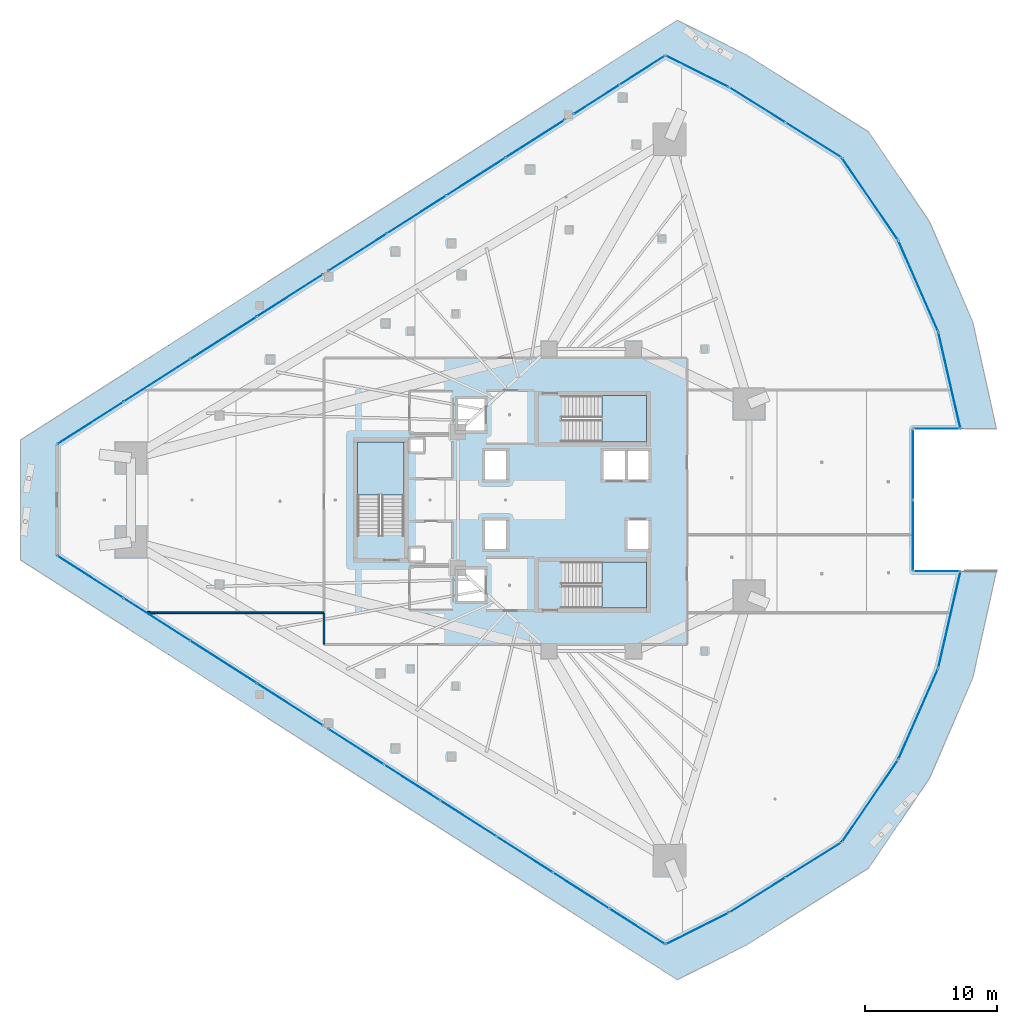
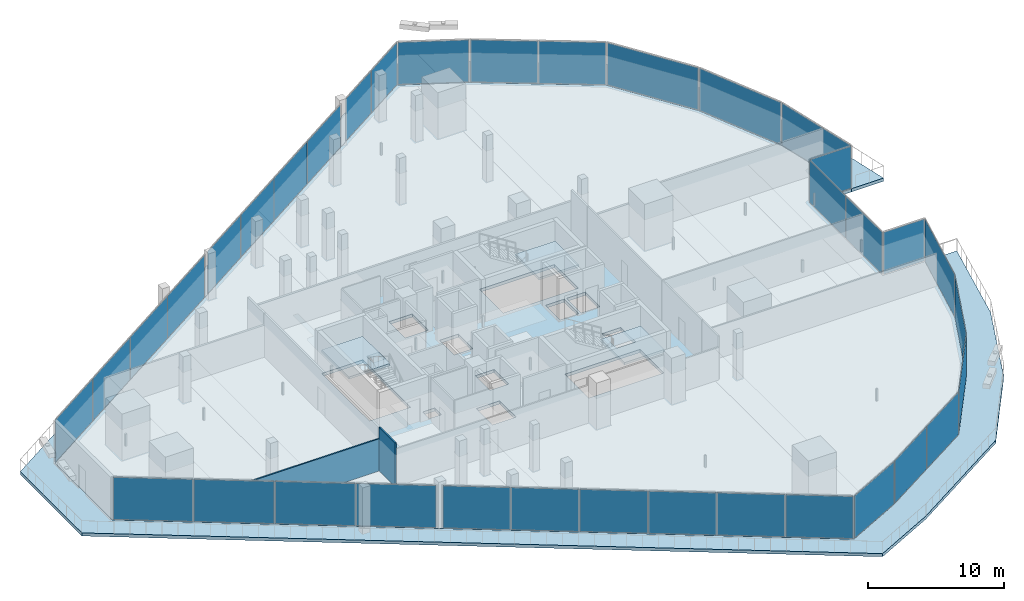
# One storey, part 28 of 42: 36 plates, 5 slabs, 2 walls, 21 elements without a shape of their own.
"""IFC4 building model written with IfcOpenShell, lengths in metres."""

from ifc_helpers import new_model, si_unit, direction, frame, frame_2d, origin, origin_2d, place, context, subcontext, project, spatial, polyline, rectangle, outline, extrude, material, layer, layer_set, type_object, element, aggregate, save


model = new_model("IFC4")

# Units and contexts
model_context = context("Model", 3, precision=1e-05, world=origin(), true_north=direction((0.0, 1.0)))
body_context = subcontext(model_context, "Body", "Model", "MODEL_VIEW")
ifc_project = project(units=[si_unit("LENGTHUNIT", "METRE"), si_unit("AREAUNIT", "SQUARE_METRE"), si_unit("VOLUMEUNIT", "CUBIC_METRE"), si_unit("PLANEANGLEUNIT", "RADIAN"), si_unit("MASSUNIT", "GRAM", prefix="KILO")], contexts=[model_context])

# Site, building, storey
site_placement = place(None, origin())
site = spatial("IfcSite", under=ifc_project, at=site_placement, CompositionType="ELEMENT")
building_placement = place(site_placement, origin())
building = spatial("IfcBuilding", under=site, at=building_placement, Name="Qorvath Tower", CompositionType="ELEMENT")
storey_placement = place(building_placement, frame((0.0, 0.0, 32.39990234375)))
storey = spatial("IfcBuildingStorey", under=building, at=storey_placement, Name="L06", CompositionType="ELEMENT", Elevation=32.39990234375)

# Curtain wall, plates
ifc_material_1 = material(Name="Anodised aluminium and triple low-E glass", Category="aluminium")
ifc_layer_1 = layer(ifc_material_1, 0.179931640625)
ifc_layer_set_1 = layer_set([ifc_layer_1], Name="CW-SYS-2")
curtain_wall_type = type_object("IfcCurtainWallType", Name="CW-SYS-2", PredefinedType="NOTDEFINED", material=ifc_layer_set_1)
curtain_wall_1_placement = place(storey_placement, origin())
curtain_wall_1 = element("IfcCurtainWall", 1, at=curtain_wall_1_placement, inside=storey, type_object=curtain_wall_type, Name="Curtain Wall CW-2 CW-T-L06-2.1", PredefinedType="NOTDEFINED")
ifc_material_2 = material(Name="Low-E triple insulated glass", Category="glass")
ifc_layer_2 = layer(ifc_material_2, 0.031982421875)
ifc_layer_set_2 = layer_set([ifc_layer_2], Name="CWP-GLZ-32")
plate_type = type_object("IfcPlateType", Name="CWP-GLZ-32", PredefinedType="CURTAIN_PANEL", material=ifc_layer_set_2)
plate_1_placement = place(storey_placement, frame((-58.363525390625, -5.8349609375, 0.06494140625), z_axis=(0.0, 0.0, 1.0), x_axis=(0.84260714152, -0.538528741164, 0.0)))
plate_1 = element("IfcPlate", 2, at=plate_1_placement, type_object=plate_type, Name="CW-2 panel 1.1", PredefinedType="CURTAIN_PANEL", context=body_context, shape_type="SweptSolid", body=[
    extrude(rectangle(XDim=5.895751953125, YDim=0.031982421875, at=origin_2d()), origin(), (0.0, 0.0, 1.0), 3.790283203125),
])
plate_2_placement = place(storey_placement, frame((-53.327392578125, -9.0537109375, 0.06494140625), z_axis=(0.0, 0.0, 1.0), x_axis=(0.84260714152, -0.538528741164, 0.0)))
plate_2 = element("IfcPlate", 3, at=plate_2_placement, type_object=plate_type, Name="CW-2 panel 2.1", PredefinedType="CURTAIN_PANEL", context=body_context, shape_type="SweptSolid", body=[
    extrude(rectangle(XDim=5.92822265625, YDim=0.031982421875, at=origin_2d()), origin(), (0.0, 0.0, 1.0), 3.790283203125),
])
plate_3_placement = place(storey_placement, frame((-48.27734375, -12.28125, 0.06494140625), z_axis=(0.0, 0.0, 1.0), x_axis=(0.84260714152, -0.538528741164, 0.0)))
plate_3 = element("IfcPlate", 4, at=plate_3_placement, type_object=plate_type, Name="CW-2 panel 3.1", PredefinedType="CURTAIN_PANEL", context=body_context, shape_type="SweptSolid", body=[
    extrude(rectangle(XDim=5.92822265625, YDim=0.031982421875, at=origin_2d()), origin(), (0.0, 0.0, 1.0), 3.790283203125),
])
plate_4_placement = place(storey_placement, frame((-43.240966796875, -15.5, 0.06494140625), z_axis=(0.0, 0.0, 1.0), x_axis=(0.84260714152, -0.538528741164, 0.0)))
plate_4 = element("IfcPlate", 5, at=plate_4_placement, type_object=plate_type, Name="CW-2 panel 4.1", PredefinedType="CURTAIN_PANEL", context=body_context, shape_type="SweptSolid", body=[
    extrude(rectangle(XDim=5.895751953125, YDim=0.031982421875, at=origin_2d()), origin(), (0.0, 0.0, 1.0), 3.790283203125),
])
aggregate(curtain_wall_1, [plate_1, plate_2, plate_3, plate_4])

curtain_wall_2_placement = place(storey_placement, origin())
curtain_wall_2 = element("IfcCurtainWall", 6, at=curtain_wall_2_placement, inside=storey, type_object=curtain_wall_type, Name="Curtain Wall CW-2 CW-T-L06-2.2", PredefinedType="NOTDEFINED")
plate_5_placement = place(storey_placement, frame((-38.236328125, -18.698974609375, 0.06494140625), z_axis=(0.0, 0.0, 1.0), x_axis=(0.842604679483, -0.538532593363, 0.0)))
plate_5 = element("IfcPlate", 7, at=plate_5_placement, type_object=plate_type, Name="CW-2 panel 1.1", PredefinedType="CURTAIN_PANEL", context=body_context, shape_type="SweptSolid", body=[
    extrude(rectangle(XDim=4.9697265625, YDim=0.031982421875, at=origin_2d()), origin(), (0.0, 0.0, 1.0), 3.790283203125),
])
plate_6_placement = place(storey_placement, frame((-33.98046875, -21.4189453125, 0.06494140625), z_axis=(0.0, 0.0, 1.0), x_axis=(0.842604679483, -0.538532593363, 0.0)))
plate_6 = element("IfcPlate", 8, at=plate_6_placement, type_object=plate_type, Name="CW-2 panel 2.1", PredefinedType="CURTAIN_PANEL", context=body_context, shape_type="SweptSolid", body=[
    extrude(rectangle(XDim=5.002197265625, YDim=0.031982421875, at=origin_2d()), origin(), (0.0, 0.0, 1.0), 3.790283203125),
])
plate_7_placement = place(storey_placement, frame((-29.710693359375, -24.147705078125, 0.06494140625), z_axis=(0.0, 0.0, 1.0), x_axis=(0.842604679483, -0.538532593363, 0.0)))
plate_7 = element("IfcPlate", 9, at=plate_7_placement, type_object=plate_type, Name="CW-2 panel 3.1", PredefinedType="CURTAIN_PANEL", context=body_context, shape_type="SweptSolid", body=[
    extrude(rectangle(XDim=5.002197265625, YDim=0.031982421875, at=origin_2d()), origin(), (0.0, 0.0, 1.0), 3.790283203125),
])
plate_8_placement = place(storey_placement, frame((-25.441162109375, -26.876708984375, 0.06494140625), z_axis=(0.0, 0.0, 1.0), x_axis=(0.842604679483, -0.538532593363, 0.0)))
plate_8 = element("IfcPlate", 10, at=plate_8_placement, type_object=plate_type, Name="CW-2 panel 4.1", PredefinedType="CURTAIN_PANEL", context=body_context, shape_type="SweptSolid", body=[
    extrude(rectangle(XDim=5.002197265625, YDim=0.031982421875, at=origin_2d()), origin(), (0.0, 0.0, 1.0), 3.790283203125),
])
plate_9_placement = place(storey_placement, frame((-21.171630859375, -29.60546875, 0.06494140625), z_axis=(0.0, 0.0, 1.0), x_axis=(0.842604679483, -0.538532593363, 0.0)))
plate_9 = element("IfcPlate", 11, at=plate_9_placement, type_object=plate_type, Name="CW-2 panel 5.1", PredefinedType="CURTAIN_PANEL", context=body_context, shape_type="SweptSolid", body=[
    extrude(rectangle(XDim=5.002197265625, YDim=0.031982421875, at=origin_2d()), origin(), (0.0, 0.0, 1.0), 3.790283203125),
])
plate_10_placement = place(storey_placement, frame((-16.91552734375, -32.325439453125, 0.06494140625), z_axis=(0.0, 0.0, 1.0), x_axis=(0.842604679483, -0.538532593363, 0.0)))
plate_10 = element("IfcPlate", 12, at=plate_10_placement, type_object=plate_type, Name="CW-2 panel 6.1", PredefinedType="CURTAIN_PANEL", context=body_context, shape_type="SweptSolid", body=[
    extrude(rectangle(XDim=4.9697265625, YDim=0.031982421875, at=origin_2d()), origin(), (0.0, 0.0, 1.0), 3.790283203125),
])
aggregate(curtain_wall_2, [plate_5, plate_6, plate_7, plate_8, plate_9, plate_10])

# Curtain wall, plate
curtain_wall_3_placement = place(storey_placement, origin())
curtain_wall_3 = element("IfcCurtainWall", 13, at=curtain_wall_3_placement, inside=storey, type_object=curtain_wall_type, Name="Curtain Wall CW-2 CW-T-L06-3.1", PredefinedType="NOTDEFINED")
plate_11_placement = place(storey_placement, frame((-12.360107421875, -32.4951171875, 0.06494140625), z_axis=(0.0, 0.0, 1.0), x_axis=(0.894434622514, 0.447198732162, 0.0)))
plate_11 = element("IfcPlate", 14, at=plate_11_placement, type_object=plate_type, Name="CW-2 panel 1.1", PredefinedType="CURTAIN_PANEL", context=body_context, shape_type="SweptSolid", body=[
    extrude(rectangle(XDim=5.25244140625, YDim=0.031982421875, at=origin_2d()), origin(), (0.0, 0.0, 1.0), 3.790283203125),
])
aggregate(curtain_wall_3, [plate_11])

# Curtain wall, plates
curtain_wall_4_placement = place(storey_placement, origin())
curtain_wall_4 = element("IfcCurtainWall", 15, at=curtain_wall_4_placement, inside=storey, type_object=curtain_wall_type, Name="Curtain Wall CW-2 CW-T-L06-4.1", PredefinedType="NOTDEFINED")
plate_12_placement = place(storey_placement, frame((-7.798583984375, -29.946044921875, 0.06494140625), z_axis=(0.0, 0.0, 1.0), x_axis=(0.848141855919, 0.529769187701, 0.0)))
plate_12 = element("IfcPlate", 16, at=plate_12_placement, type_object=plate_type, Name="CW-2 panel 1.1", PredefinedType="CURTAIN_PANEL", context=body_context, shape_type="SweptSolid", body=[
    extrude(rectangle(XDim=4.949951171875, YDim=0.031982421875, at=origin_2d()), origin(), (0.0, 0.0, 1.0), 3.790283203125),
])
plate_13_placement = place(storey_placement, frame((-3.54541015625, -27.289306640625, 0.06494140625), z_axis=(0.0, 0.0, 1.0), x_axis=(0.848141855919, 0.529769187701, 0.0)))
plate_13 = element("IfcPlate", 17, at=plate_13_placement, type_object=plate_type, Name="CW-2 panel 2.1", PredefinedType="CURTAIN_PANEL", context=body_context, shape_type="SweptSolid", body=[
    extrude(rectangle(XDim=4.949951171875, YDim=0.031982421875, at=origin_2d()), origin(), (0.0, 0.0, 1.0), 3.790283203125),
])
aggregate(curtain_wall_4, [plate_12, plate_13])

# Curtain wall, plate
curtain_wall_5_placement = place(storey_placement, origin())
curtain_wall_5 = element("IfcCurtainWall", 18, at=curtain_wall_5_placement, inside=storey, type_object=curtain_wall_type, Name="Curtain Wall CW-2 CW-T-L06-5.1", PredefinedType="NOTDEFINED")
plate_14_placement = place(storey_placement, frame((0.7412109375, -22.82080078125, 0.06494140625), z_axis=(0.0, 0.0, 1.0), x_axis=(0.563869271406, 0.825864059494, 0.0)))
plate_14 = element("IfcPlate", 19, at=plate_14_placement, type_object=plate_type, Name="CW-2 panel 1.1", PredefinedType="CURTAIN_PANEL", context=body_context, shape_type="SweptSolid", body=[
    extrude(rectangle(XDim=7.432861328125, YDim=0.031982421875, at=origin_2d()), origin(), (0.0, 0.0, 1.0), 3.790283203125),
])
aggregate(curtain_wall_5, [plate_14])

curtain_wall_6_placement = place(storey_placement, origin())
curtain_wall_6 = element("IfcCurtainWall", 20, at=curtain_wall_6_placement, inside=storey, type_object=curtain_wall_type, Name="Curtain Wall CW-2 CW-T-L06-6.1", PredefinedType="NOTDEFINED")
plate_15_placement = place(storey_placement, frame((4.39013671875, -16.23388671875, 0.06494140625), z_axis=(0.0, 0.0, 1.0), x_axis=(0.401118455419, 0.91602619216, 0.0)))
plate_15 = element("IfcPlate", 21, at=plate_15_placement, type_object=plate_type, Name="CW-2 panel 1.1", PredefinedType="CURTAIN_PANEL", context=body_context, shape_type="SweptSolid", body=[
    extrude(rectangle(XDim=7.43310546875, YDim=0.031982421875, at=origin_2d()), origin(), (0.0, 0.0, 1.0), 3.790283203125),
])
aggregate(curtain_wall_6, [plate_15])

curtain_wall_7_placement = place(storey_placement, origin())
curtain_wall_7 = element("IfcCurtainWall", 22, at=curtain_wall_7_placement, inside=storey, type_object=curtain_wall_type, Name="Curtain Wall CW-2 CW-T-L06-7.1", PredefinedType="NOTDEFINED")
plate_16_placement = place(storey_placement, frame((6.755859375, -9.0849609375, 0.06494140625), z_axis=(0.0, 0.0, 1.0), x_axis=(0.22447129445, 0.974480701691, 0.0)))
plate_16 = element("IfcPlate", 23, at=plate_16_placement, type_object=plate_type, Name="CW-2 panel 1.1", PredefinedType="CURTAIN_PANEL", context=body_context, shape_type="SweptSolid", body=[
    extrude(rectangle(XDim=7.43310546875, YDim=0.031982421875, at=origin_2d()), origin(), (0.0, 0.0, 1.0), 3.790283203125),
])
aggregate(curtain_wall_7, [plate_16])

curtain_wall_8_placement = place(storey_placement, origin())
curtain_wall_8 = element("IfcCurtainWall", 24, at=curtain_wall_8_placement, inside=storey, type_object=curtain_wall_type, Name="Curtain Wall CW-2 CW-T-L06-8.1", PredefinedType="NOTDEFINED")
plate_17_placement = place(storey_placement, frame((5.8046875, -5.39990234375, 0.06494140625), z_axis=(0.0, 0.0, 1.0), x_axis=(-1.0, 0.0, 0.0)))
plate_17 = element("IfcPlate", 25, at=plate_17_placement, type_object=plate_type, Name="CW-2 panel 1.1", PredefinedType="CURTAIN_PANEL", context=body_context, shape_type="SweptSolid", body=[
    extrude(rectangle(XDim=3.4697265625, YDim=0.031982421875, at=origin_2d()), origin(), (0.0, 0.0, 1.0), 3.790283203125),
])
aggregate(curtain_wall_8, [plate_17])

# Curtain wall, plates
curtain_wall_9_placement = place(storey_placement, origin())
curtain_wall_9 = element("IfcCurtainWall", 26, at=curtain_wall_9_placement, inside=storey, type_object=curtain_wall_type, Name="Curtain Wall CW-2 CW-T-L06-9.1", PredefinedType="NOTDEFINED")
plate_18_placement = place(storey_placement, frame((4.0048828125, -2.68359375, 0.06494140625), z_axis=(0.0, 0.0, 1.0), x_axis=(0.0, 1.0, 0.0)))
plate_18 = element("IfcPlate", 27, at=plate_18_placement, type_object=plate_type, Name="CW-2 panel 1.1", PredefinedType="CURTAIN_PANEL", context=body_context, shape_type="SweptSolid", body=[
    extrude(rectangle(XDim=5.302490234375, YDim=0.031982421875, at=origin_2d()), origin(), (0.0, 0.0, 1.0), 3.790283203125),
])
plate_19_placement = place(storey_placement, frame((4.0048828125, 2.68359375, 0.06494140625), z_axis=(0.0, 0.0, 1.0), x_axis=(0.0, 1.0, 0.0)))
plate_19 = element("IfcPlate", 28, at=plate_19_placement, type_object=plate_type, Name="CW-2 panel 2.1", PredefinedType="CURTAIN_PANEL", context=body_context, shape_type="SweptSolid", body=[
    extrude(rectangle(XDim=5.302490234375, YDim=0.031982421875, at=origin_2d()), origin(), (0.0, 0.0, 1.0), 3.790283203125),
])
aggregate(curtain_wall_9, [plate_18, plate_19])

# Curtain wall, plate
curtain_wall_10_placement = place(storey_placement, origin())
curtain_wall_10 = element("IfcCurtainWall", 29, at=curtain_wall_10_placement, inside=storey, type_object=curtain_wall_type, Name="Curtain Wall CW-2 CW-T-L06-10.1", PredefinedType="NOTDEFINED")
plate_20_placement = place(storey_placement, frame((5.8046875, 5.39990234375, 0.06494140625), z_axis=(0.0, 0.0, 1.0), x_axis=(1.0, 0.0, 0.0)))
plate_20 = element("IfcPlate", 30, at=plate_20_placement, type_object=plate_type, Name="CW-2 panel 1.1", PredefinedType="CURTAIN_PANEL", context=body_context, shape_type="SweptSolid", body=[
    extrude(rectangle(XDim=3.4697265625, YDim=0.031982421875, at=origin_2d()), origin(), (0.0, 0.0, 1.0), 3.790283203125),
])
aggregate(curtain_wall_10, [plate_20])

curtain_wall_11_placement = place(storey_placement, origin())
curtain_wall_11 = element("IfcCurtainWall", 31, at=curtain_wall_11_placement, inside=storey, type_object=curtain_wall_type, Name="Curtain Wall CW-2 CW-T-L06-11.1", PredefinedType="NOTDEFINED")
plate_21_placement = place(storey_placement, frame((6.755859375, 9.0849609375, 0.06494140625), z_axis=(0.0, 0.0, 1.0), x_axis=(-0.22447129445, 0.974480701691, 0.0)))
plate_21 = element("IfcPlate", 32, at=plate_21_placement, type_object=plate_type, Name="CW-2 panel 1.1", PredefinedType="CURTAIN_PANEL", context=body_context, shape_type="SweptSolid", body=[
    extrude(rectangle(XDim=7.43310546875, YDim=0.031982421875, at=origin_2d()), origin(), (0.0, 0.0, 1.0), 3.790283203125),
])
aggregate(curtain_wall_11, [plate_21])

curtain_wall_12_placement = place(storey_placement, origin())
curtain_wall_12 = element("IfcCurtainWall", 33, at=curtain_wall_12_placement, inside=storey, type_object=curtain_wall_type, Name="Curtain Wall CW-2 CW-T-L06-12.1", PredefinedType="NOTDEFINED")
plate_22_placement = place(storey_placement, frame((4.39013671875, 16.23388671875, 0.06494140625), z_axis=(0.0, 0.0, 1.0), x_axis=(-0.401118455419, 0.91602619216, 0.0)))
plate_22 = element("IfcPlate", 34, at=plate_22_placement, type_object=plate_type, Name="CW-2 panel 1.1", PredefinedType="CURTAIN_PANEL", context=body_context, shape_type="SweptSolid", body=[
    extrude(rectangle(XDim=7.43310546875, YDim=0.031982421875, at=origin_2d()), origin(), (0.0, 0.0, 1.0), 3.790283203125),
])
aggregate(curtain_wall_12, [plate_22])

curtain_wall_13_placement = place(storey_placement, origin())
curtain_wall_13 = element("IfcCurtainWall", 35, at=curtain_wall_13_placement, inside=storey, type_object=curtain_wall_type, Name="Curtain Wall CW-2 CW-T-L06-13.1", PredefinedType="NOTDEFINED")
plate_23_placement = place(storey_placement, frame((0.7412109375, 22.82080078125, 0.06494140625), z_axis=(0.0, 0.0, 1.0), x_axis=(-0.563869271406, 0.825864059494, 0.0)))
plate_23 = element("IfcPlate", 36, at=plate_23_placement, type_object=plate_type, Name="CW-2 panel 1.1", PredefinedType="CURTAIN_PANEL", context=body_context, shape_type="SweptSolid", body=[
    extrude(rectangle(XDim=7.432861328125, YDim=0.031982421875, at=origin_2d()), origin(), (0.0, 0.0, 1.0), 3.790283203125),
])
aggregate(curtain_wall_13, [plate_23])

# Curtain wall, plates
curtain_wall_14_placement = place(storey_placement, origin())
curtain_wall_14 = element("IfcCurtainWall", 37, at=curtain_wall_14_placement, inside=storey, type_object=curtain_wall_type, Name="Curtain Wall CW-2 CW-T-L06-14.1", PredefinedType="NOTDEFINED")
plate_24_placement = place(storey_placement, frame((-3.54541015625, 27.289306640625, 0.06494140625), z_axis=(0.0, 0.0, 1.0), x_axis=(-0.848141855919, 0.529769187701, 0.0)))
plate_24 = element("IfcPlate", 38, at=plate_24_placement, type_object=plate_type, Name="CW-2 panel 1.1", PredefinedType="CURTAIN_PANEL", context=body_context, shape_type="SweptSolid", body=[
    extrude(rectangle(XDim=4.949951171875, YDim=0.031982421875, at=origin_2d()), origin(), (0.0, 0.0, 1.0), 3.790283203125),
])
plate_25_placement = place(storey_placement, frame((-7.798583984375, 29.946044921875, 0.06494140625), z_axis=(0.0, 0.0, 1.0), x_axis=(-0.848141855919, 0.529769187701, 0.0)))
plate_25 = element("IfcPlate", 39, at=plate_25_placement, type_object=plate_type, Name="CW-2 panel 2.1", PredefinedType="CURTAIN_PANEL", context=body_context, shape_type="SweptSolid", body=[
    extrude(rectangle(XDim=4.949951171875, YDim=0.031982421875, at=origin_2d()), origin(), (0.0, 0.0, 1.0), 3.790283203125),
])
aggregate(curtain_wall_14, [plate_24, plate_25])

# Curtain wall, plate
curtain_wall_15_placement = place(storey_placement, origin())
curtain_wall_15 = element("IfcCurtainWall", 40, at=curtain_wall_15_placement, inside=storey, type_object=curtain_wall_type, Name="Curtain Wall CW-2 CW-T-L06-15.1", PredefinedType="NOTDEFINED")
plate_26_placement = place(storey_placement, frame((-12.360107421875, 32.4951171875, 0.06494140625), z_axis=(0.0, 0.0, 1.0), x_axis=(-0.894434622514, 0.447198732162, 0.0)))
plate_26 = element("IfcPlate", 41, at=plate_26_placement, type_object=plate_type, Name="CW-2 panel 1.1", PredefinedType="CURTAIN_PANEL", context=body_context, shape_type="SweptSolid", body=[
    extrude(rectangle(XDim=5.25244140625, YDim=0.031982421875, at=origin_2d()), origin(), (0.0, 0.0, 1.0), 3.790283203125),
])
aggregate(curtain_wall_15, [plate_26])

# Curtain wall, plates
curtain_wall_16_placement = place(storey_placement, origin())
curtain_wall_16 = element("IfcCurtainWall", 42, at=curtain_wall_16_placement, inside=storey, type_object=curtain_wall_type, Name="Curtain Wall CW-2 CW-T-L06-16.1", PredefinedType="NOTDEFINED")
plate_27_placement = place(storey_placement, frame((-16.529296875, 32.572509765625, 0.06494140625), z_axis=(0.0, 0.0, 1.0), x_axis=(-0.842600746059, -0.538538747669, 0.0)))
plate_27 = element("IfcPlate", 43, at=plate_27_placement, type_object=plate_type, Name="CW-2 panel 1.1", PredefinedType="CURTAIN_PANEL", context=body_context, shape_type="SweptSolid", body=[
    extrude(rectangle(XDim=4.052734375, YDim=0.031982421875, at=origin_2d()), origin(), (0.0, 0.0, 1.0), 3.790283203125),
])
plate_28_placement = place(storey_placement, frame((-19.9990234375, 30.354736328125, 0.06494140625), z_axis=(0.0, 0.0, 1.0), x_axis=(-0.842600746059, -0.538538747669, 0.0)))
plate_28 = element("IfcPlate", 44, at=plate_28_placement, type_object=plate_type, Name="CW-2 panel 2.1", PredefinedType="CURTAIN_PANEL", context=body_context, shape_type="SweptSolid", body=[
    extrude(rectangle(XDim=4.052734375, YDim=0.031982421875, at=origin_2d()), origin(), (0.0, 0.0, 1.0), 3.790283203125),
])
aggregate(curtain_wall_16, [plate_27, plate_28])

curtain_wall_17_placement = place(storey_placement, origin())
curtain_wall_17 = element("IfcCurtainWall", 45, at=curtain_wall_17_placement, inside=storey, type_object=curtain_wall_type, Name="Curtain Wall CW-2 CW-T-L06-16.2", PredefinedType="NOTDEFINED")
plate_29_placement = place(storey_placement, frame((-24.640869140625, 27.38818359375, 0.06494140625), z_axis=(0.0, 0.0, 1.0), x_axis=(-0.842603316479, -0.538534725955, 0.0)))
plate_29 = element("IfcPlate", 46, at=plate_29_placement, type_object=plate_type, Name="CW-2 panel 1.1", PredefinedType="CURTAIN_PANEL", context=body_context, shape_type="SweptSolid", body=[
    extrude(rectangle(XDim=5.24560546875, YDim=0.031982421875, at=origin_2d()), origin(), (0.0, 0.0, 1.0), 3.790283203125),
])
plate_30_placement = place(storey_placement, frame((-29.12939453125, 24.51953125, 0.06494140625), z_axis=(0.0, 0.0, 1.0), x_axis=(-0.842603316479, -0.538534725955, 0.0)))
plate_30 = element("IfcPlate", 47, at=plate_30_placement, type_object=plate_type, Name="CW-2 panel 2.1", PredefinedType="CURTAIN_PANEL", context=body_context, shape_type="SweptSolid", body=[
    extrude(rectangle(XDim=5.2783203125, YDim=0.031982421875, at=origin_2d()), origin(), (0.0, 0.0, 1.0), 3.790283203125),
])
plate_31_placement = place(storey_placement, frame((-33.631591796875, 21.641845703125, 0.06494140625), z_axis=(0.0, 0.0, 1.0), x_axis=(-0.842603316479, -0.538534725955, 0.0)))
plate_31 = element("IfcPlate", 48, at=plate_31_placement, type_object=plate_type, Name="CW-2 panel 3.1", PredefinedType="CURTAIN_PANEL", context=body_context, shape_type="SweptSolid", body=[
    extrude(rectangle(XDim=5.2783203125, YDim=0.031982421875, at=origin_2d()), origin(), (0.0, 0.0, 1.0), 3.790283203125),
])
plate_32_placement = place(storey_placement, frame((-38.1201171875, 18.773193359375, 0.06494140625), z_axis=(0.0, 0.0, 1.0), x_axis=(-0.842603316479, -0.538534725955, 0.0)))
plate_32 = element("IfcPlate", 49, at=plate_32_placement, type_object=plate_type, Name="CW-2 panel 4.1", PredefinedType="CURTAIN_PANEL", context=body_context, shape_type="SweptSolid", body=[
    extrude(rectangle(XDim=5.24560546875, YDim=0.031982421875, at=origin_2d()), origin(), (0.0, 0.0, 1.0), 3.790283203125),
])
aggregate(curtain_wall_17, [plate_29, plate_30, plate_31, plate_32])

curtain_wall_18_placement = place(storey_placement, origin())
curtain_wall_18 = element("IfcCurtainWall", 50, at=curtain_wall_18_placement, inside=storey, type_object=curtain_wall_type, Name="Curtain Wall CW-2 CW-T-L06-16.3", PredefinedType="NOTDEFINED")
plate_33_placement = place(storey_placement, frame((-43.240966796875, 15.5, 0.06494140625), z_axis=(0.0, 0.0, 1.0), x_axis=(-0.84260714152, -0.538528741164, 0.0)))
plate_33 = element("IfcPlate", 51, at=plate_33_placement, type_object=plate_type, Name="CW-2 panel 1.1", PredefinedType="CURTAIN_PANEL", context=body_context, shape_type="SweptSolid", body=[
    extrude(rectangle(XDim=5.895751953125, YDim=0.031982421875, at=origin_2d()), origin(), (0.0, 0.0, 1.0), 3.790283203125),
])
plate_34_placement = place(storey_placement, frame((-48.27734375, 12.28125, 0.06494140625), z_axis=(0.0, 0.0, 1.0), x_axis=(-0.84260714152, -0.538528741164, 0.0)))
plate_34 = element("IfcPlate", 52, at=plate_34_placement, type_object=plate_type, Name="CW-2 panel 2.1", PredefinedType="CURTAIN_PANEL", context=body_context, shape_type="SweptSolid", body=[
    extrude(rectangle(XDim=5.92822265625, YDim=0.031982421875, at=origin_2d()), origin(), (0.0, 0.0, 1.0), 3.790283203125),
])
plate_35_placement = place(storey_placement, frame((-53.327392578125, 9.0537109375, 0.06494140625), z_axis=(0.0, 0.0, 1.0), x_axis=(-0.84260714152, -0.538528741164, 0.0)))
plate_35 = element("IfcPlate", 53, at=plate_35_placement, type_object=plate_type, Name="CW-2 panel 3.1", PredefinedType="CURTAIN_PANEL", context=body_context, shape_type="SweptSolid", body=[
    extrude(rectangle(XDim=5.92822265625, YDim=0.031982421875, at=origin_2d()), origin(), (0.0, 0.0, 1.0), 3.790283203125),
])
plate_36_placement = place(storey_placement, frame((-58.363525390625, 5.8349609375, 0.06494140625), z_axis=(0.0, 0.0, 1.0), x_axis=(-0.84260714152, -0.538528741164, 0.0)))
plate_36 = element("IfcPlate", 54, at=plate_36_placement, type_object=plate_type, Name="CW-2 panel 4.1", PredefinedType="CURTAIN_PANEL", context=body_context, shape_type="SweptSolid", body=[
    extrude(rectangle(XDim=5.895751953125, YDim=0.031982421875, at=origin_2d()), origin(), (0.0, 0.0, 1.0), 3.790283203125),
])
aggregate(curtain_wall_18, [plate_33, plate_34, plate_35, plate_36])

# Stair, slab
ifc_material_3 = material(Name="Concrete C50/60", Category="concrete")
stair_type = type_object("IfcStairType", Name="ST-H420", PredefinedType="HALF_TURN_STAIR", material=ifc_material_3)
stair_1_placement = place(storey_placement, origin())
stair_1 = element("IfcStair", 55, at=stair_1_placement, inside=storey, type_object=stair_type, Name="L06 Tower Exit Stair 1", PredefinedType="HALF_TURN_STAIR")
ifc_material_4 = material(Name="Concrete C50/60", Category="concrete")
ifc_layer_3 = layer(ifc_material_4, 0.199951171875)
ifc_layer_set_3 = layer_set([ifc_layer_3], Name="SL-LND-200")
slab_type_1 = type_object("IfcSlabType", Name="SL-LND-200", PredefinedType="LANDING", material=ifc_layer_set_3)
slab_1_placement = place(storey_placement, frame((0.0, 0.0, 1.900146484375)))
slab_1 = element("IfcSlab", 56, at=slab_1_placement, type_object=slab_type_1, Name="TS1 landing 1", PredefinedType="LANDING", context=body_context, shape_type="SweptSolid", body=[
    extrude(outline(polyline([(-19.590087890625, 4.39990234375), (-16.199951171875, 4.39990234375), (-16.199951171875, 7.909912109375), (-19.590087890625, 7.909912109375), (-19.590087890625, 4.39990234375)])), origin(), (0.0, 0.0, 1.0), 0.199951171875),
])
aggregate(stair_1, [slab_1])

stair_2_placement = place(storey_placement, origin())
stair_2 = element("IfcStair", 57, at=stair_2_placement, inside=storey, type_object=stair_type, Name="L06 Tower Exit Stair 2", PredefinedType="HALF_TURN_STAIR")
slab_2_placement = place(storey_placement, frame((0.0, 0.0, 1.900146484375)))
slab_2 = element("IfcSlab", 58, at=slab_2_placement, type_object=slab_type_1, Name="TS2 landing 1", PredefinedType="LANDING", context=body_context, shape_type="SweptSolid", body=[
    extrude(outline(polyline([(-19.590087890625, -8.199951171875), (-16.199951171875, -8.199951171875), (-16.199951171875, -4.68994140625), (-19.590087890625, -4.68994140625), (-19.590087890625, -8.199951171875)])), origin(), (0.0, 0.0, 1.0), 0.199951171875),
])
aggregate(stair_2, [slab_2])

stair_3_placement = place(storey_placement, origin())
stair_3 = element("IfcStair", 59, at=stair_3_placement, inside=storey, type_object=stair_type, Name="L06 Tower Exit Stair 3", PredefinedType="HALF_TURN_STAIR")
slab_3_placement = place(storey_placement, frame((0.0, 0.0, 1.900146484375)))
slab_3 = element("IfcSlab", 60, at=slab_3_placement, type_object=slab_type_1, Name="TS3 landing 1", PredefinedType="LANDING", context=body_context, shape_type="SweptSolid", body=[
    extrude(outline(polyline([(-34.60009765625, 0.360107421875), (-34.60009765625, 4.39990234375), (-38.110107421875, 4.39990234375), (-38.110107421875, 0.360107421875), (-34.60009765625, 0.360107421875)])), origin(), (0.0, 0.0, 1.0), 0.199951171875),
])
aggregate(stair_3, [slab_3])

# Slabs
ifc_material_5 = material(Name="Precast concrete C45/55", Category="concrete")
ifc_layer_4 = layer(ifc_material_5, 0.280029296875)
ifc_layer_set_4 = layer_set([ifc_layer_4], Name="SL-LOG-280")
slab_type_2 = type_object("IfcSlabType", Name="SL-LOG-280", PredefinedType="FLOOR", material=ifc_layer_set_4)
slab_4_placement = place(storey_placement, frame((0.0, 0.0, -0.27978515625)))
element("IfcSlab", 61, at=slab_4_placement, inside=storey, type_object=slab_type_2, Name="Tower L06 Perimeter Loggia and Terrace Slab", PredefinedType="FLOOR", context=body_context, shape_type="SweptSolid", body=[
    extrude(outline(polyline([(7.604736328125, -5.39990234375), (5.906982421875, -12.77001953125), (2.873291015625, -19.697998046875), (-1.39111328125, -25.94384765625), (-9.952880859375, -31.291748046875), (-14.76708984375, -33.69873046875), (-60.90234375, -4.21240234375), (-60.90234375, 4.21240234375), (-14.76708984375, 33.69873046875), (-9.952880859375, 31.291748046875), (-1.39111328125, 25.94384765625), (2.873291015625, 19.697998046875), (5.906982421875, 12.77001953125), (7.604736328125, 5.39990234375), (10.32080078125, 5.39990234375), (8.53369140625, 13.473876953125), (5.263427734375, 21.068603515625), (0.6259765625, 27.9150390625), (-8.682373046875, 33.769287109375), (-13.877685546875, 36.3671875), (-63.666015625, 4.5458984375), (-63.666015625, -4.5458984375), (-13.877685546875, -36.3671875), (-8.682373046875, -33.769287109375), (0.6259765625, -27.9150390625), (5.263427734375, -21.068603515625), (8.53369140625, -13.473876953125), (10.32080078125, -5.39990234375), (7.604736328125, -5.39990234375)])), origin(), (0.0, 0.0, 1.0), 0.27978515625),
])
ifc_material_6 = material(Name="Concrete C45/55", Category="concrete")
ifc_layer_5 = layer(ifc_material_6, 0.280029296875)
ifc_layer_set_5 = layer_set([ifc_layer_5], Name="SL-TYP-280")
slab_type_3 = type_object("IfcSlabType", Name="SL-TYP-280", PredefinedType="FLOOR", material=ifc_layer_set_5)
slab_5_placement = place(storey_placement, frame((0.0, 0.0, -0.27978515625)))
element("IfcSlab", 62, at=slab_5_placement, inside=storey, type_object=slab_type_3, Name="Tower L06 Interior Floor Slab", PredefinedType="FLOOR", context=body_context, shape_type="SweptSolid", body=[
    extrude(outline(polyline([(-60.90234375, 4.21240234375), (-60.90234375, -4.21240234375), (-14.76708984375, -33.69873046875), (-9.952880859375, -31.291748046875), (-1.39111328125, -25.94384765625), (2.873291015625, -19.697998046875), (5.906982421875, -12.77001953125), (7.604736328125, -5.39990234375), (4.0048828125, -5.39990234375), (4.0048828125, 5.39990234375), (7.604736328125, 5.39990234375), (5.906982421875, 12.77001953125), (2.873291015625, 19.697998046875), (-1.39111328125, 25.94384765625), (-9.952880859375, 31.291748046875), (-14.76708984375, 33.69873046875), (-60.90234375, 4.21240234375)]), holes=[polyline([(-17.64990234375, -3.699951171875), (-17.64990234375, -1.550048828125), (-16.050048828125, -1.550048828125), (-16.050048828125, -3.699951171875), (-17.64990234375, -3.699951171875)]), polyline([(-17.64990234375, 1.550048828125), (-17.64990234375, 3.699951171875), (-16.050048828125, 3.699951171875), (-16.050048828125, 1.550048828125), (-17.64990234375, 1.550048828125)]), polyline([(-16.2451171875, -8.199951171875), (-22.625, -8.199951171875), (-22.625, -4.68994140625), (-16.2451171875, -4.68994140625), (-16.2451171875, -8.199951171875)]), polyline([(-22.625, 4.39990234375), (-22.625, 7.909912109375), (-16.2451171875, 7.909912109375), (-16.2451171875, 4.39990234375), (-22.625, 4.39990234375)]), polyline([(-17.85009765625, 1.550048828125), (-19.449951171875, 1.550048828125), (-19.449951171875, 3.699951171875), (-17.85009765625, 3.699951171875), (-17.85009765625, 1.550048828125)]), polyline([(-28.449951171875, -3.699951171875), (-28.449951171875, -1.550048828125), (-26.85009765625, -1.550048828125), (-26.85009765625, -3.699951171875), (-28.449951171875, -3.699951171875)]), polyline([(-26.85009765625, 1.550048828125), (-28.449951171875, 1.550048828125), (-28.449951171875, 3.699951171875), (-26.85009765625, 3.699951171875), (-26.85009765625, 1.550048828125)]), polyline([(-28.5, -7.64990234375), (-30.5, -7.64990234375), (-30.5, -5.25), (-28.5, -5.25), (-28.5, -7.64990234375)]), polyline([(-30.5, 5.25), (-30.5, 7.64990234375), (-28.5, 7.64990234375), (-28.5, 5.25), (-30.5, 5.25)]), polyline([(-34.14990234375, -4.6201171875), (-34.14990234375, -3.64990234375), (-33.10009765625, -3.64990234375), (-33.10009765625, -4.6201171875), (-34.14990234375, -4.6201171875)]), polyline([(-34.14990234375, 3.64990234375), (-34.14990234375, 4.6201171875), (-33.10009765625, 4.6201171875), (-33.10009765625, 3.64990234375), (-34.14990234375, 3.64990234375)]), polyline([(-34.60009765625, -2.675048828125), (-38.110107421875, -2.675048828125), (-38.110107421875, 4.35498046875), (-34.60009765625, 4.35498046875), (-34.60009765625, -2.675048828125)])]), origin(), (0.0, 0.0, 1.0), 0.27978515625),
])

# Walls
ifc_material_7 = material(Name="Gypsum board on metal studs with mineral wool", Category="gypsum")
ifc_layer_6 = layer(ifc_material_7, 0.125)
ifc_layer_set_6 = layer_set([ifc_layer_6], Name="IW-PART-125")
wall_type = type_object("IfcWallType", Name="IW-PART-125", PredefinedType="PARTITIONING", material=ifc_layer_set_6)
wall_1_placement = place(storey_placement, frame((-40.657958984375, -8.574951171875, 0.0), z_axis=(0.0, 0.0, 1.0), x_axis=(0.0, -1.0, 0.0)))
element("IfcWall", 63, at=wall_1_placement, inside=storey, type_object=wall_type, Name="Interior Partition IW-T1-L06-030", PredefinedType="PARTITIONING", context=body_context, shape_type="SweptSolid", body=[
    extrude(rectangle(XDim=2.358154296875, YDim=0.125, at=frame_2d((1.17919921875, 0.0))), origin(), (0.0, 0.0, 1.0), 3.920166015625),
])
wall_2_placement = place(storey_placement, frame((-40.68310546875, -8.550048828125, 0.0), z_axis=(0.0, 0.0, 1.0), x_axis=(-1.0, 0.0, 0.0)))
element("IfcWall", 64, at=wall_2_placement, inside=storey, type_object=wall_type, Name="Interior Partition IW-T1-L06-031", PredefinedType="PARTITIONING", context=body_context, shape_type="SweptSolid", body=[
    extrude(rectangle(XDim=13.3525390625, YDim=0.125, at=frame_2d((6.67626953125, 0.0))), origin(), (0.0, 0.0, 1.0), 2.89013671875),
])

save(model, "model.ifc")
